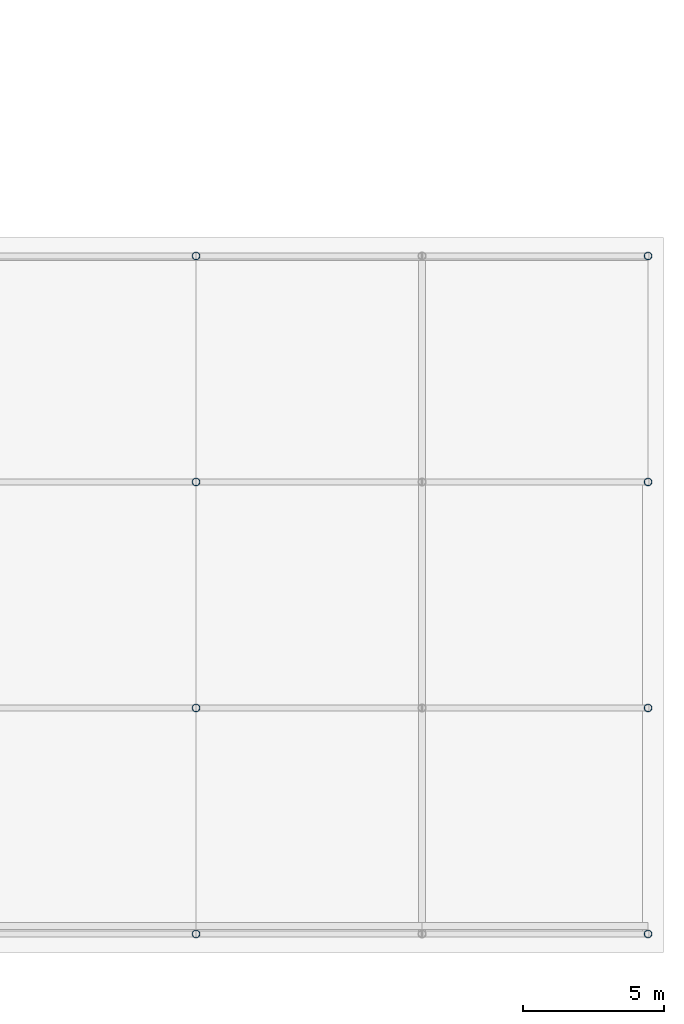
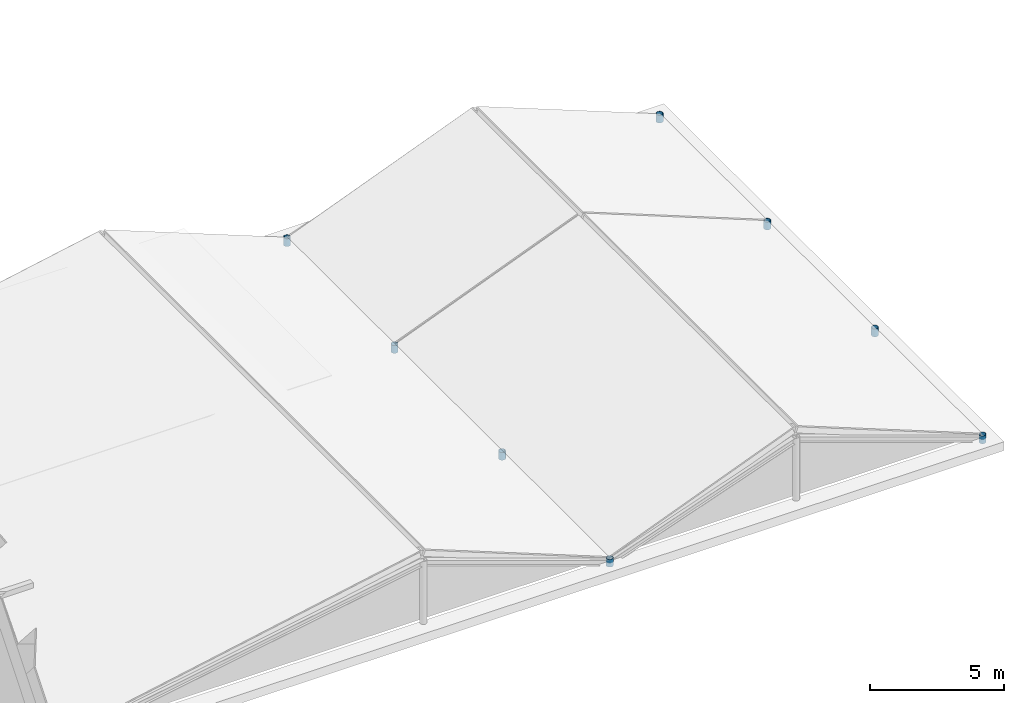
# One storey, part 5 of 37: 8 columns.
"""IFC4 building model written with IfcOpenShell, lengths in metres."""

from ifc_helpers import new_model, si_unit, direction, frame, origin, origin_2d, place, context, subcontext, project, spatial, hollow_circle, extrude, material, material_profile, profile_set, type_object, element, save


model = new_model("IFC4")

# Units and contexts
model_context = context("Model", 3, precision=1e-05, world=origin(), true_north=direction((0.0, 1.0)))
body_context = subcontext(model_context, "Body", "Model", "MODEL_VIEW")
ifc_project = project(units=[si_unit("LENGTHUNIT", "METRE"), si_unit("AREAUNIT", "SQUARE_METRE"), si_unit("VOLUMEUNIT", "CUBIC_METRE"), si_unit("PLANEANGLEUNIT", "RADIAN"), si_unit("MASSUNIT", "GRAM", prefix="KILO")], contexts=[model_context])

# Site, building, storey
site_placement = place(None, origin())
site = spatial("IfcSite", under=ifc_project, at=site_placement, CompositionType="ELEMENT")
building_placement = place(site_placement, origin())
building = spatial("IfcBuilding", under=site, at=building_placement, Name="Qorikala Patio Media Centre", CompositionType="ELEMENT")
storey_placement = place(building_placement, frame((0.0, 0.0, 14.39990234375)))
storey = spatial("IfcBuildingStorey", under=building, at=storey_placement, Name="L03", CompositionType="ELEMENT", Elevation=14.39990234375)

# Columns
ifc_material = material(Name="Steel S355", Category="steel")
ifc_material_profile = material_profile(ifc_material, hollow_circle(Radius=0.136474609375, WallThickness=0.010009765625, at=origin_2d()), Name="CHS273X10")
ifc_profile_set = profile_set([ifc_material_profile], Name="Steel S355")
column_type = type_object("IfcColumnType", Name="SCOL-CHS273X10", PredefinedType="COLUMN", material=ifc_profile_set)
for number, where, z_axis, x_axis, name in (
    (1, (122.0, 3.0, 0.0), (0.0, 0.0, 1.0), (1.0, 0.0, 0.0), "RF-V7A1 Eave Post (122,3)"),
    (2, (122.0, 11.0, 0.0), (0.0, 0.0, 1.0), (1.0, 0.0, 0.0), "RF-V7A1 Eave Post (122,11)"),
    (3, (122.0, 19.0, 0.0), (0.0, 0.0, 1.0), (1.0, 0.0, 0.0), "RF-V7A1 Eave Post (122,19)"),
    (4, (122.0, 27.0, 0.0), (0.0, 0.0, 1.0), (1.0, 0.0, 0.0), "RF-V7A1 Eave Post (122,27)"),
    (5, (138.0, 3.0, 0.0), (0.0, 0.0, 1.0), (1.0, 0.0, 0.0), "RF-V7A2 Eave Post (138,3)"),
    (6, (138.0, 11.0, 0.0), (0.0, 0.0, 1.0), (1.0, 0.0, 0.0), "RF-V7A2 Eave Post (138,11)"),
    (7, (138.0, 19.0, 0.0), (0.0, 0.0, 1.0), (1.0, 0.0, 0.0), "RF-V7A2 Eave Post (138,19)"),
    (8, (138.0, 27.0, 0.0), (0.0, 0.0, 1.0), (1.0, 0.0, 0.0), "RF-V7A3 Eave Post (138,27)"),
):
    element("IfcColumn", number, at=place(storey_placement, frame(where, z_axis=z_axis, x_axis=x_axis)), inside=storey, type_object=column_type, Name=name, PredefinedType="COLUMN", context=body_context, shape_type="SweptSolid", body=[
        extrude(hollow_circle(Radius=0.136474609375, WallThickness=0.010009765625, at=origin_2d()), origin(), (0.0, 0.0, 1.0), 0.35009765625),
    ])

save(model, "model.ifc")
